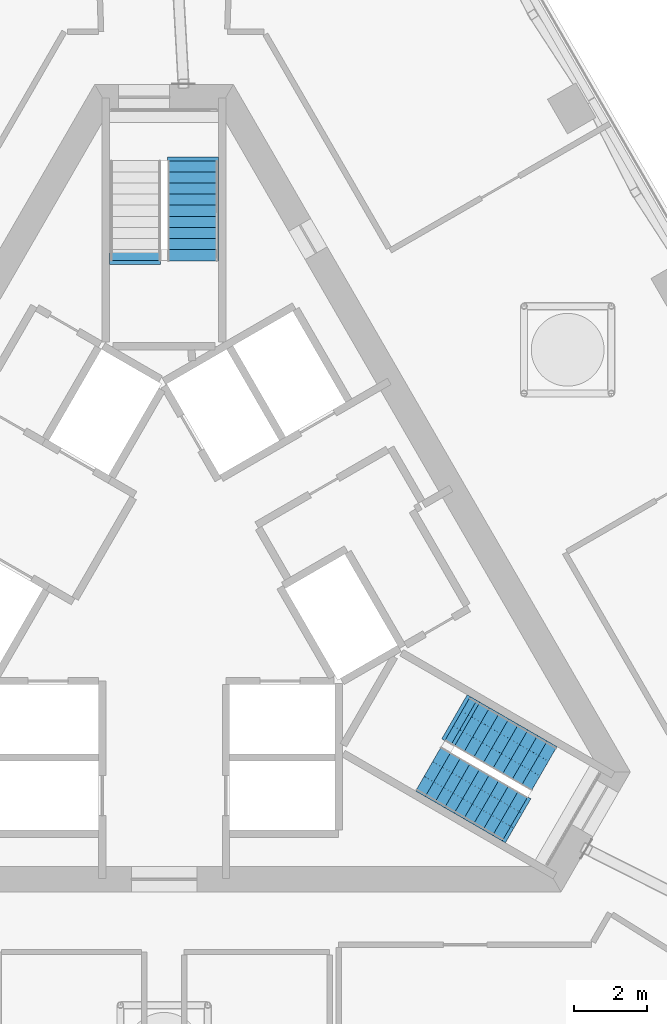
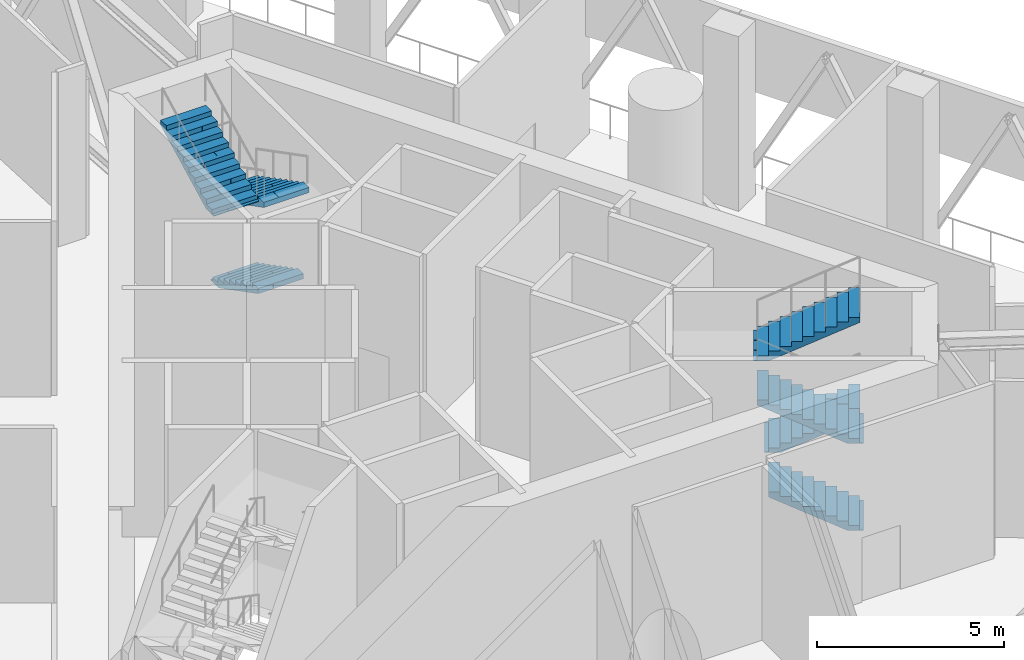
# One storey, part 11 of 15: 7 stair flights, 2 elements without a shape of their own.
"""IFC4 building model written with IfcOpenShell, lengths in metres."""

import ifcopenshell
import ifcopenshell.guid

model = None  # the IFC model being written
_history = None  # IfcOwnerHistory: only IFC2X3 demands one
_inside = {}  # id of a spatial element -> (the spatial element, [elements in it])
_under = {}  # id of a project, library or spatial element -> (it, [spatial elements below it])
_declared = {}  # id of a project -> (the project, [libraries it declares])
_typed = {}  # id of a type object -> (the type object, [elements of that type])
_made_of = {}  # id of a material, layer set ... -> (it, [elements and type objects made of it])


def new_model(schema):
    """Start an empty IFC model of exactly this schema.

    Asked for "IFC4X3", IfcOpenShell would pick the latest addendum, in which some entities
    have other attributes; the version numbers below select the first issue.
    IFC2X3 requires an IfcOwnerHistory on every rooted entity: one is made here for all.
    """
    global model, _history
    if schema == "IFC4X3":
        model = ifcopenshell.file(schema_version=(4, 3, 0, 0))
    else:
        model = ifcopenshell.file(schema=schema)
    _inside.clear()
    _under.clear()
    _declared.clear()
    _typed.clear()
    _made_of.clear()
    _history = None
    if model.schema == "IFC2X3":
        org = make("IfcOrganization", Name="unknown")
        user = make(
            "IfcPersonAndOrganization",
            ThePerson=make("IfcPerson", FamilyName="unknown"),
            TheOrganization=org,
        )
        app = make(
            "IfcApplication",
            ApplicationDeveloper=org,
            Version="unknown",
            ApplicationFullName="unknown",
            ApplicationIdentifier="unknown",
        )
        _history = make(
            "IfcOwnerHistory",
            OwningUser=user,
            OwningApplication=app,
            ChangeAction="ADDED",
            CreationDate=0,
        )
    return model


def make(cls, **values):
    """One entity of the class cls with the attributes given. An attribute that is None is left unset."""
    return model.create_entity(
        cls, **{name: value for name, value in values.items() if value is not None}
    )


def rooted(cls, **values):
    """An entity with a GlobalId (a new one), such as an element, a storey or a relation."""
    return make(cls, GlobalId=ifcopenshell.guid.new(), OwnerHistory=_history, **values)


def si_unit(unit_type, name, prefix=None):
    """IfcSIUnit, for example si_unit("LENGTHUNIT", "METRE", prefix="MILLI")."""
    return make("IfcSIUnit", UnitType=unit_type, Prefix=prefix, Name=name)


def assignment(units):
    """IfcUnitAssignment: the units of a project."""
    return None if units is None else make("IfcUnitAssignment", Units=units)


def point(xyz):
    """IfcCartesianPoint."""
    return None if xyz is None else make("IfcCartesianPoint", Coordinates=xyz)


def direction(xyz):
    """IfcDirection."""
    return None if xyz is None else make("IfcDirection", DirectionRatios=xyz)


def frame(location, z_axis=None, x_axis=None):
    """IfcAxis2Placement3D, a coordinate frame: its origin and axes. An axis left out is left unset."""
    return make(
        "IfcAxis2Placement3D",
        Location=point(location),
        Axis=direction(z_axis),
        RefDirection=direction(x_axis),
    )


def origin():
    """The frame at (0, 0, 0) with its axes left unset."""
    return frame((0.0, 0.0, 0.0))


def place(relative_to, where):
    """IfcLocalPlacement: puts the frame where relative to a parent placement (None: the world)."""
    return make(
        "IfcLocalPlacement", PlacementRelTo=relative_to, RelativePlacement=where
    )


def context(
    kind, dimensions, precision=None, world=None, true_north=None, identifier=None
):
    """IfcGeometricRepresentationContext, for example the 3D "Model" context."""
    return make(
        "IfcGeometricRepresentationContext",
        ContextIdentifier=identifier,
        ContextType=kind,
        CoordinateSpaceDimension=dimensions,
        Precision=precision,
        WorldCoordinateSystem=world,
        TrueNorth=true_north,
    )


def subcontext(parent, identifier, kind, view, scale=None):
    """IfcGeometricRepresentationSubContext, for example "Body" below "Model"."""
    return make(
        "IfcGeometricRepresentationSubContext",
        ContextIdentifier=identifier,
        ContextType=kind,
        ParentContext=parent,
        TargetScale=scale,
        TargetView=view,
    )


def project(units=None, contexts=None):
    """IfcProject with its units and contexts."""
    return rooted(
        "IfcProject",
        Name="project",
        RepresentationContexts=contexts,
        UnitsInContext=assignment(units),
    )


def spatial(cls, under=None, at=None, **own):
    """A site, building, storey or space (cls), placed at a placement, below another one or the project."""
    s = rooted(cls, ObjectPlacement=at, **own)
    if under is not None:
        _under.setdefault(under.id(), (under, []))[1].append(s)
    return s


def polyline(points):
    """IfcPolyline through the points."""
    return make("IfcPolyline", Points=[point(p) for p in points])


def outline(outer, holes=None, kind="AREA"):
    """IfcArbitraryClosedProfileDef: a profile drawn as a closed curve; with holes, ...WithVoids."""
    if holes is None:
        return make("IfcArbitraryClosedProfileDef", ProfileType=kind, OuterCurve=outer)
    return make(
        "IfcArbitraryProfileDefWithVoids",
        ProfileType=kind,
        OuterCurve=outer,
        InnerCurves=holes,
    )


def extrude(swept, where, along, depth):
    """IfcExtrudedAreaSolid: the profile swept, set in the frame where, extruded along a direction by depth."""
    return make(
        "IfcExtrudedAreaSolid",
        SweptArea=swept,
        Position=where,
        ExtrudedDirection=direction(along),
        Depth=depth,
    )


def shape(context_of_items, identifier, shape_type, items):
    """IfcShapeRepresentation: the items that make up one representation, for example the "Body"."""
    return make(
        "IfcShapeRepresentation",
        ContextOfItems=context_of_items,
        RepresentationIdentifier=identifier,
        RepresentationType=shape_type,
        Items=items,
    )


def material(Name=None, Category=None):
    """IfcMaterial."""
    return make("IfcMaterial", Name=Name, Category=Category)


def made_of(thing, what):
    """Note that an element or type object is made of a material, layer set ...; save() writes the relation."""
    if what is not None:
        _made_of.setdefault(what.id(), (what, []))[1].append(thing)
    return thing


def type_object(cls, material=None, **own):
    """A type object (cls), such as IfcWallType, which elements share."""
    return made_of(rooted(cls, **own), material)


def element(
    cls,
    number,
    at=None,
    inside=None,
    cuts=None,
    type_object=None,
    material=None,
    context=None,
    identifier="Body",
    shape_type=None,
    held_by="IfcProductDefinitionShape",
    body=None,
    shapes=None,
    **own,
):
    """One element of the class cls, such as IfcWall. Its Tag is "e" and its number.

    at: its placement. inside: the storey or other place that contains it. cuts: it is an
    opening in that element (IfcRelVoidsElement). A single representation is given by context,
    identifier, shape_type and body (its items); several are given by shapes. held_by: the class
    of the entity that holds the representations. save() writes the other relations.
    """
    e = rooted(cls, Tag="e%d" % number, ObjectPlacement=at, **own)
    if body is not None:
        shapes = [shape(context, identifier, shape_type, body)]
    if shapes is not None:
        e.Representation = make(held_by, Representations=shapes)
    if inside is not None:
        _inside.setdefault(inside.id(), (inside, []))[1].append(e)
    if cuts is not None:
        rooted(
            "IfcRelVoidsElement", RelatingBuildingElement=cuts, RelatedOpeningElement=e
        )
    if type_object is not None:
        _typed.setdefault(type_object.id(), (type_object, []))[1].append(e)
    return made_of(e, material)


def aggregate(whole, parts):
    """IfcRelAggregates: a whole, such as a stair, and the parts it consists of."""
    return rooted("IfcRelAggregates", RelatingObject=whole, RelatedObjects=parts)


def save(model, path):
    """Write the relations noted so far, then the file.

    IfcRelAggregates (storeys below a building ...), IfcRelContainedInSpatialStructure (elements
    in a storey), IfcRelDefinesByType, IfcRelAssociatesMaterial and IfcRelDeclares: one each for
    every whole, place, type object, material and project.
    """
    for whole, parts in _under.values():
        aggregate(whole, parts)
    for where, things in _inside.values():
        rooted(
            "IfcRelContainedInSpatialStructure",
            RelatedElements=things,
            RelatingStructure=where,
        )
    for kind, things in _typed.values():
        rooted("IfcRelDefinesByType", RelatedObjects=things, RelatingType=kind)
    for what, things in _made_of.values():
        rooted("IfcRelAssociatesMaterial", RelatedObjects=things, RelatingMaterial=what)
    for by, libraries in _declared.values():
        rooted("IfcRelDeclares", RelatingContext=by, RelatedDefinitions=libraries)
    model.write(path)


model = new_model("IFC4")

# Units and contexts
model_context = context("Model", 3, precision=1e-05, world=origin(), true_north=direction((0.0, 1.0)))
body_context = subcontext(model_context, "Body", "Model", "MODEL_VIEW")
ifc_project = project(units=[si_unit("LENGTHUNIT", "METRE"), si_unit("AREAUNIT", "SQUARE_METRE"), si_unit("VOLUMEUNIT", "CUBIC_METRE"), si_unit("PLANEANGLEUNIT", "RADIAN"), si_unit("MASSUNIT", "GRAM", prefix="KILO")], contexts=[model_context])

# Site, building, storey
site_placement = place(None, origin())
site = spatial("IfcSite", under=ifc_project, at=site_placement, CompositionType="ELEMENT")
building_placement = place(site_placement, origin())
building = spatial("IfcBuilding", under=site, at=building_placement, Name="Triada Interchange Tower", CompositionType="ELEMENT")
storey_placement = place(building_placement, frame((0.0, 0.0, 255.800048828125)))
storey = spatial("IfcBuildingStorey", under=building, at=storey_placement, Name="L60", CompositionType="ELEMENT", Elevation=255.800048828125)

# Stair, stair flights
ifc_material = material(Name="Concrete C35/45", Category="concrete")
stair_type = type_object("IfcStairType", Name="HALF TURN STAIR 1400", PredefinedType="HALF_TURN_STAIR", material=ifc_material)
stair_1_placement = place(storey_placement, origin())
stair_1 = element("IfcStair", 1, at=stair_1_placement, inside=storey, type_object=stair_type, Name="Exit stair S60-1", PredefinedType="HALF_TURN_STAIR")
stair_flight_type = type_object("IfcStairFlightType", Name="STRAIGHT STAIR FLIGHT 1400", PredefinedType="STRAIGHT", material=ifc_material)
stair_flight_1_placement = place(storey_placement, frame((0.800048828125, 11.60009765625, 0.0), z_axis=(0.0, 0.0, 1.0), x_axis=(0.0, -1.0, 0.0)))
stair_flight_1 = element("IfcStairFlight", 2, at=stair_flight_1_placement, type_object=stair_flight_type, Name="S60-1 flight 1", NumberOfRisers=9, NumberOfTreads=8, PredefinedType="STRAIGHT", RiserHeight=0.15789, TreadLength=0.305, context=body_context, shape_type="SweptSolid", body=[
    extrude(outline(polyline([(-0.10009765625, 0.0), (-0.10009765625, 0.02001953125), (0.0, 0.02001953125), (0.0, 0.157958984375), (0.304931640625, 0.157958984375), (0.304931640625, 0.315673828125), (0.610107421875, 0.315673828125), (0.610107421875, 0.4736328125), (0.9150390625, 0.4736328125), (0.9150390625, 0.631591796875), (1.219970703125, 0.631591796875), (1.219970703125, 0.78955078125), (1.52490234375, 0.78955078125), (1.52490234375, 0.947265625), (1.830078125, 0.947265625), (1.830078125, 1.105224609375), (2.135009765625, 1.105224609375), (2.135009765625, 1.26318359375), (2.43994140625, 1.26318359375), (2.444091796875, 1.26318359375), (2.444091796875, 1.4208984375), (2.444091796875, 1.09423828125), (0.326171875, 0.0), (-0.10009765625, 0.0)])), frame((0.0, 0.699951171875, 0.0), z_axis=(0.0, -1.0, 0.0), x_axis=(1.0, 0.0, 0.0)), (0.0, 0.0, 1.0), 0.46533203125),
    extrude(outline(polyline([(-0.10009765625, 0.0), (-0.10009765625, 0.02001953125), (0.0, 0.02001953125), (0.0, 0.157958984375), (0.304931640625, 0.157958984375), (0.304931640625, 0.315673828125), (0.610107421875, 0.315673828125), (0.610107421875, 0.4736328125), (0.9150390625, 0.4736328125), (0.9150390625, 0.631591796875), (1.219970703125, 0.631591796875), (1.219970703125, 0.78955078125), (1.52490234375, 0.78955078125), (1.52490234375, 0.947265625), (1.830078125, 0.947265625), (1.830078125, 1.105224609375), (2.135009765625, 1.105224609375), (2.135009765625, 1.26318359375), (2.43994140625, 1.26318359375), (2.444091796875, 1.26318359375), (2.444091796875, 1.4208984375), (2.444091796875, 1.09423828125), (0.326171875, 0.0), (-0.10009765625, 0.0)])), frame((0.0, 0.232666015625, 0.0), z_axis=(0.0, -1.0, 0.0), x_axis=(1.0, 0.0, 0.0)), (0.0, 0.0, 1.0), 0.46533203125),
    extrude(outline(polyline([(-0.10009765625, 0.0), (-0.10009765625, 0.02001953125), (0.0, 0.02001953125), (0.0, 0.157958984375), (0.304931640625, 0.157958984375), (0.304931640625, 0.315673828125), (0.610107421875, 0.315673828125), (0.610107421875, 0.4736328125), (0.9150390625, 0.4736328125), (0.9150390625, 0.631591796875), (1.219970703125, 0.631591796875), (1.219970703125, 0.78955078125), (1.52490234375, 0.78955078125), (1.52490234375, 0.947265625), (1.830078125, 0.947265625), (1.830078125, 1.105224609375), (2.135009765625, 1.105224609375), (2.135009765625, 1.26318359375), (2.43994140625, 1.26318359375), (2.444091796875, 1.26318359375), (2.444091796875, 1.4208984375), (2.444091796875, 1.09423828125), (0.326171875, 0.0), (-0.10009765625, 0.0)])), frame((0.0, -0.234619140625, 0.0), z_axis=(0.0, -1.0, 0.0), x_axis=(1.0, 0.0, 0.0)), (0.0, 0.0, 1.0), 0.46533203125),
])
stair_flight_2_placement = place(storey_placement, frame((0.800048828125, 11.60009765625, 2.842041015625), z_axis=(0.0, 0.0, 1.0), x_axis=(0.0, -1.0, 0.0)))
stair_flight_2 = element("IfcStairFlight", 3, at=stair_flight_2_placement, type_object=stair_flight_type, Name="S60-1 flight 3", NumberOfRisers=10, NumberOfTreads=9, PredefinedType="STRAIGHT", RiserHeight=0.15789, TreadLength=0.305, context=body_context, shape_type="SweptSolid", body=[
    extrude(outline(polyline([(-0.10009765625, 0.0), (-0.10009765625, 0.02001953125), (0.0, 0.02001953125), (0.0, 0.157958984375), (0.304931640625, 0.157958984375), (0.304931640625, 0.315673828125), (0.610107421875, 0.315673828125), (0.610107421875, 0.4736328125), (0.9150390625, 0.4736328125), (0.9150390625, 0.631591796875), (1.219970703125, 0.631591796875), (1.219970703125, 0.78955078125), (1.52490234375, 0.78955078125), (1.52490234375, 0.947265625), (1.830078125, 0.947265625), (1.830078125, 1.105224609375), (2.135009765625, 1.105224609375), (2.135009765625, 1.26318359375), (2.43994140625, 1.26318359375), (2.43994140625, 1.4208984375), (2.7451171875, 1.4208984375), (2.7490234375, 1.4208984375), (2.7490234375, 1.578857421875), (2.7490234375, 1.252197265625), (0.326171875, 0.0), (-0.10009765625, 0.0)])), frame((0.0, 0.699951171875, 0.0), z_axis=(0.0, -1.0, 0.0), x_axis=(1.0, 0.0, 0.0)), (0.0, 0.0, 1.0), 0.46533203125),
    extrude(outline(polyline([(-0.10009765625, 0.0), (-0.10009765625, 0.02001953125), (0.0, 0.02001953125), (0.0, 0.157958984375), (0.304931640625, 0.157958984375), (0.304931640625, 0.315673828125), (0.610107421875, 0.315673828125), (0.610107421875, 0.4736328125), (0.9150390625, 0.4736328125), (0.9150390625, 0.631591796875), (1.219970703125, 0.631591796875), (1.219970703125, 0.78955078125), (1.52490234375, 0.78955078125), (1.52490234375, 0.947265625), (1.830078125, 0.947265625), (1.830078125, 1.105224609375), (2.135009765625, 1.105224609375), (2.135009765625, 1.26318359375), (2.43994140625, 1.26318359375), (2.43994140625, 1.4208984375), (2.7451171875, 1.4208984375), (2.7490234375, 1.4208984375), (2.7490234375, 1.578857421875), (2.7490234375, 1.252197265625), (0.326171875, 0.0), (-0.10009765625, 0.0)])), frame((0.0, 0.232666015625, 0.0), z_axis=(0.0, -1.0, 0.0), x_axis=(1.0, 0.0, 0.0)), (0.0, 0.0, 1.0), 0.46533203125),
    extrude(outline(polyline([(-0.10009765625, 0.0), (-0.10009765625, 0.02001953125), (0.0, 0.02001953125), (0.0, 0.157958984375), (0.304931640625, 0.157958984375), (0.304931640625, 0.315673828125), (0.610107421875, 0.315673828125), (0.610107421875, 0.4736328125), (0.9150390625, 0.4736328125), (0.9150390625, 0.631591796875), (1.219970703125, 0.631591796875), (1.219970703125, 0.78955078125), (1.52490234375, 0.78955078125), (1.52490234375, 0.947265625), (1.830078125, 0.947265625), (1.830078125, 1.105224609375), (2.135009765625, 1.105224609375), (2.135009765625, 1.26318359375), (2.43994140625, 1.26318359375), (2.43994140625, 1.4208984375), (2.7451171875, 1.4208984375), (2.7490234375, 1.4208984375), (2.7490234375, 1.578857421875), (2.7490234375, 1.252197265625), (0.326171875, 0.0), (-0.10009765625, 0.0)])), frame((0.0, -0.234619140625, 0.0), z_axis=(0.0, -1.0, 0.0), x_axis=(1.0, 0.0, 0.0)), (0.0, 0.0, 1.0), 0.46533203125),
])
stair_flight_3_placement = place(storey_placement, frame((-0.800048828125, 8.85498046875, 4.4208984375), z_axis=(0.0, 0.0, 1.0), x_axis=(0.0, 1.0, 0.0)))
stair_flight_3 = element("IfcStairFlight", 4, at=stair_flight_3_placement, type_object=stair_flight_type, Name="S60-1 flight 4", NumberOfRisers=10, NumberOfTreads=9, PredefinedType="STRAIGHT", RiserHeight=0.15789, TreadLength=0.305, context=body_context, shape_type="SweptSolid", body=[
    extrude(outline(polyline([(-0.10009765625, 0.0), (-0.10009765625, 0.02001953125), (0.0, 0.02001953125), (0.0, 0.157958984375), (0.304931640625, 0.157958984375), (0.304931640625, 0.315673828125), (0.610107421875, 0.315673828125), (0.610107421875, 0.4736328125), (0.9150390625, 0.4736328125), (0.9150390625, 0.631591796875), (1.219970703125, 0.631591796875), (1.219970703125, 0.78955078125), (1.52490234375, 0.78955078125), (1.52490234375, 0.947265625), (1.830078125, 0.947265625), (1.830078125, 1.105224609375), (2.135009765625, 1.105224609375), (2.135009765625, 1.26318359375), (2.43994140625, 1.26318359375), (2.43994140625, 1.4208984375), (2.7451171875, 1.4208984375), (2.7490234375, 1.4208984375), (2.7490234375, 1.578857421875), (2.7490234375, 1.252197265625), (0.326171875, 0.0), (-0.10009765625, 0.0)])), frame((0.0, 0.699951171875, 0.0), z_axis=(0.0, -1.0, 0.0), x_axis=(1.0, 0.0, 0.0)), (0.0, 0.0, 1.0), 0.46533203125),
    extrude(outline(polyline([(-0.10009765625, 0.0), (-0.10009765625, 0.02001953125), (0.0, 0.02001953125), (0.0, 0.157958984375), (0.304931640625, 0.157958984375), (0.304931640625, 0.315673828125), (0.610107421875, 0.315673828125), (0.610107421875, 0.4736328125), (0.9150390625, 0.4736328125), (0.9150390625, 0.631591796875), (1.219970703125, 0.631591796875), (1.219970703125, 0.78955078125), (1.52490234375, 0.78955078125), (1.52490234375, 0.947265625), (1.830078125, 0.947265625), (1.830078125, 1.105224609375), (2.135009765625, 1.105224609375), (2.135009765625, 1.26318359375), (2.43994140625, 1.26318359375), (2.43994140625, 1.4208984375), (2.7451171875, 1.4208984375), (2.7490234375, 1.4208984375), (2.7490234375, 1.578857421875), (2.7490234375, 1.252197265625), (0.326171875, 0.0), (-0.10009765625, 0.0)])), frame((0.0, 0.232666015625, 0.0), z_axis=(0.0, -1.0, 0.0), x_axis=(1.0, 0.0, 0.0)), (0.0, 0.0, 1.0), 0.46533203125),
    extrude(outline(polyline([(-0.10009765625, 0.0), (-0.10009765625, 0.02001953125), (0.0, 0.02001953125), (0.0, 0.157958984375), (0.304931640625, 0.157958984375), (0.304931640625, 0.315673828125), (0.610107421875, 0.315673828125), (0.610107421875, 0.4736328125), (0.9150390625, 0.4736328125), (0.9150390625, 0.631591796875), (1.219970703125, 0.631591796875), (1.219970703125, 0.78955078125), (1.52490234375, 0.78955078125), (1.52490234375, 0.947265625), (1.830078125, 0.947265625), (1.830078125, 1.105224609375), (2.135009765625, 1.105224609375), (2.135009765625, 1.26318359375), (2.43994140625, 1.26318359375), (2.43994140625, 1.4208984375), (2.7451171875, 1.4208984375), (2.7490234375, 1.4208984375), (2.7490234375, 1.578857421875), (2.7490234375, 1.252197265625), (0.326171875, 0.0), (-0.10009765625, 0.0)])), frame((0.0, -0.234619140625, 0.0), z_axis=(0.0, -1.0, 0.0), x_axis=(1.0, 0.0, 0.0)), (0.0, 0.0, 1.0), 0.46533203125),
])
aggregate(stair_1, [stair_flight_1, stair_flight_2, stair_flight_3])

stair_2_placement = place(storey_placement, origin())
stair_2 = element("IfcStair", 5, at=stair_2_placement, inside=storey, type_object=stair_type, Name="Exit stair S60-3", PredefinedType="HALF_TURN_STAIR")
stair_flight_4_placement = place(storey_placement, frame((9.64599609375, -6.492919921875, 0.0), z_axis=(0.0, 0.0, 1.0), x_axis=(-0.866025403784, 0.5, 0.0)))
stair_flight_4 = element("IfcStairFlight", 6, at=stair_flight_4_placement, type_object=stair_flight_type, Name="S60-3 flight 1", NumberOfRisers=9, NumberOfTreads=8, PredefinedType="STRAIGHT", RiserHeight=0.15789, TreadLength=0.305, context=body_context, shape_type="SweptSolid", body=[
    extrude(outline(polyline([(-0.10009765625, 0.0), (-0.10009765625, 0.02001953125), (0.0, 0.02001953125), (0.0, 0.157958984375), (0.304931640625, 0.157958984375), (0.304931640625, 0.315673828125), (0.610107421875, 0.315673828125), (0.610107421875, 0.4736328125), (0.9150390625, 0.4736328125), (0.9150390625, 0.631591796875), (1.219970703125, 0.631591796875), (1.219970703125, 0.78955078125), (1.52490234375, 0.78955078125), (1.52490234375, 0.947265625), (1.830078125, 0.947265625), (1.830078125, 1.105224609375), (2.135009765625, 1.105224609375), (2.135009765625, 1.26318359375), (2.43994140625, 1.26318359375), (2.444091796875, 1.26318359375), (2.444091796875, 1.4208984375), (2.444091796875, 1.09423828125), (0.326171875, 0.0), (-0.10009765625, 0.0)])), frame((0.0, 0.699951171875, 0.0), z_axis=(0.0, -1.0, 0.0), x_axis=(1.0, 0.0, 0.0)), (0.0, 0.0, 1.0), 0.46533203125),
    extrude(outline(polyline([(-0.10009765625, 0.0), (-0.10009765625, 0.02001953125), (0.0, 0.02001953125), (0.0, 0.157958984375), (0.304931640625, 0.157958984375), (0.304931640625, 0.315673828125), (0.610107421875, 0.315673828125), (0.610107421875, 0.4736328125), (0.9150390625, 0.4736328125), (0.9150390625, 0.631591796875), (1.219970703125, 0.631591796875), (1.219970703125, 0.78955078125), (1.52490234375, 0.78955078125), (1.52490234375, 0.947265625), (1.830078125, 0.947265625), (1.830078125, 1.105224609375), (2.135009765625, 1.105224609375), (2.135009765625, 1.26318359375), (2.43994140625, 1.26318359375), (2.444091796875, 1.26318359375), (2.444091796875, 1.4208984375), (2.444091796875, 1.09423828125), (0.326171875, 0.0), (-0.10009765625, 0.0)])), frame((0.0, 0.232666015625, 0.0), z_axis=(0.0, -1.0, 0.0), x_axis=(1.0, 0.0, 0.0)), (0.0, 0.0, 1.0), 0.46533203125),
    extrude(outline(polyline([(-0.10009765625, 0.0), (-0.10009765625, 0.02001953125), (0.0, 0.02001953125), (0.0, 0.157958984375), (0.304931640625, 0.157958984375), (0.304931640625, 0.315673828125), (0.610107421875, 0.315673828125), (0.610107421875, 0.4736328125), (0.9150390625, 0.4736328125), (0.9150390625, 0.631591796875), (1.219970703125, 0.631591796875), (1.219970703125, 0.78955078125), (1.52490234375, 0.78955078125), (1.52490234375, 0.947265625), (1.830078125, 0.947265625), (1.830078125, 1.105224609375), (2.135009765625, 1.105224609375), (2.135009765625, 1.26318359375), (2.43994140625, 1.26318359375), (2.444091796875, 1.26318359375), (2.444091796875, 1.4208984375), (2.444091796875, 1.09423828125), (0.326171875, 0.0), (-0.10009765625, 0.0)])), frame((0.0, -0.234619140625, 0.0), z_axis=(0.0, -1.0, 0.0), x_axis=(1.0, 0.0, 0.0)), (0.0, 0.0, 1.0), 0.46533203125),
])
stair_flight_5_placement = place(storey_placement, frame((8.3330078125, -3.886962890625, 1.4208984375), z_axis=(0.0, 0.0, 1.0), x_axis=(0.866025403784, -0.5, 0.0)))
stair_flight_5 = element("IfcStairFlight", 7, at=stair_flight_5_placement, type_object=stair_flight_type, Name="S60-3 flight 2", NumberOfRisers=9, NumberOfTreads=8, PredefinedType="STRAIGHT", RiserHeight=0.15789, TreadLength=0.305, context=body_context, shape_type="SweptSolid", body=[
    extrude(outline(polyline([(-0.10009765625, 0.0), (-0.10009765625, 0.02001953125), (0.0, 0.02001953125), (0.0, 0.157958984375), (0.304931640625, 0.157958984375), (0.304931640625, 0.315673828125), (0.610107421875, 0.315673828125), (0.610107421875, 0.4736328125), (0.9150390625, 0.4736328125), (0.9150390625, 0.631591796875), (1.219970703125, 0.631591796875), (1.219970703125, 0.78955078125), (1.52490234375, 0.78955078125), (1.52490234375, 0.947265625), (1.830078125, 0.947265625), (1.830078125, 1.105224609375), (2.135009765625, 1.105224609375), (2.135009765625, 1.26318359375), (2.43994140625, 1.26318359375), (2.444091796875, 1.26318359375), (2.444091796875, 1.4208984375), (2.444091796875, 1.09423828125), (0.326171875, 0.0), (-0.10009765625, 0.0)])), frame((0.0, 0.699951171875, 0.0), z_axis=(0.0, -1.0, 0.0), x_axis=(1.0, 0.0, 0.0)), (0.0, 0.0, 1.0), 0.46533203125),
    extrude(outline(polyline([(-0.10009765625, 0.0), (-0.10009765625, 0.02001953125), (0.0, 0.02001953125), (0.0, 0.157958984375), (0.304931640625, 0.157958984375), (0.304931640625, 0.315673828125), (0.610107421875, 0.315673828125), (0.610107421875, 0.4736328125), (0.9150390625, 0.4736328125), (0.9150390625, 0.631591796875), (1.219970703125, 0.631591796875), (1.219970703125, 0.78955078125), (1.52490234375, 0.78955078125), (1.52490234375, 0.947265625), (1.830078125, 0.947265625), (1.830078125, 1.105224609375), (2.135009765625, 1.105224609375), (2.135009765625, 1.26318359375), (2.43994140625, 1.26318359375), (2.444091796875, 1.26318359375), (2.444091796875, 1.4208984375), (2.444091796875, 1.09423828125), (0.326171875, 0.0), (-0.10009765625, 0.0)])), frame((0.0, 0.232666015625, 0.0), z_axis=(0.0, -1.0, 0.0), x_axis=(1.0, 0.0, 0.0)), (0.0, 0.0, 1.0), 0.46533203125),
    extrude(outline(polyline([(-0.10009765625, 0.0), (-0.10009765625, 0.02001953125), (0.0, 0.02001953125), (0.0, 0.157958984375), (0.304931640625, 0.157958984375), (0.304931640625, 0.315673828125), (0.610107421875, 0.315673828125), (0.610107421875, 0.4736328125), (0.9150390625, 0.4736328125), (0.9150390625, 0.631591796875), (1.219970703125, 0.631591796875), (1.219970703125, 0.78955078125), (1.52490234375, 0.78955078125), (1.52490234375, 0.947265625), (1.830078125, 0.947265625), (1.830078125, 1.105224609375), (2.135009765625, 1.105224609375), (2.135009765625, 1.26318359375), (2.43994140625, 1.26318359375), (2.444091796875, 1.26318359375), (2.444091796875, 1.4208984375), (2.444091796875, 1.09423828125), (0.326171875, 0.0), (-0.10009765625, 0.0)])), frame((0.0, -0.234619140625, 0.0), z_axis=(0.0, -1.0, 0.0), x_axis=(1.0, 0.0, 0.0)), (0.0, 0.0, 1.0), 0.46533203125),
])
stair_flight_6_placement = place(storey_placement, frame((9.64599609375, -6.492919921875, 2.842041015625), z_axis=(0.0, 0.0, 1.0), x_axis=(-0.866025403784, 0.5, 0.0)))
stair_flight_6 = element("IfcStairFlight", 8, at=stair_flight_6_placement, type_object=stair_flight_type, Name="S60-3 flight 3", NumberOfRisers=10, NumberOfTreads=9, PredefinedType="STRAIGHT", RiserHeight=0.15789, TreadLength=0.305, context=body_context, shape_type="SweptSolid", body=[
    extrude(outline(polyline([(-0.10009765625, 0.0), (-0.10009765625, 0.02001953125), (0.0, 0.02001953125), (0.0, 0.157958984375), (0.304931640625, 0.157958984375), (0.304931640625, 0.315673828125), (0.610107421875, 0.315673828125), (0.610107421875, 0.4736328125), (0.9150390625, 0.4736328125), (0.9150390625, 0.631591796875), (1.219970703125, 0.631591796875), (1.219970703125, 0.78955078125), (1.52490234375, 0.78955078125), (1.52490234375, 0.947265625), (1.830078125, 0.947265625), (1.830078125, 1.105224609375), (2.135009765625, 1.105224609375), (2.135009765625, 1.26318359375), (2.43994140625, 1.26318359375), (2.43994140625, 1.4208984375), (2.7451171875, 1.4208984375), (2.7490234375, 1.4208984375), (2.7490234375, 1.578857421875), (2.7490234375, 1.252197265625), (0.326171875, 0.0), (-0.10009765625, 0.0)])), frame((0.0, 0.699951171875, 0.0), z_axis=(0.0, -1.0, 0.0), x_axis=(1.0, 0.0, 0.0)), (0.0, 0.0, 1.0), 0.46533203125),
    extrude(outline(polyline([(-0.10009765625, 0.0), (-0.10009765625, 0.02001953125), (0.0, 0.02001953125), (0.0, 0.157958984375), (0.304931640625, 0.157958984375), (0.304931640625, 0.315673828125), (0.610107421875, 0.315673828125), (0.610107421875, 0.4736328125), (0.9150390625, 0.4736328125), (0.9150390625, 0.631591796875), (1.219970703125, 0.631591796875), (1.219970703125, 0.78955078125), (1.52490234375, 0.78955078125), (1.52490234375, 0.947265625), (1.830078125, 0.947265625), (1.830078125, 1.105224609375), (2.135009765625, 1.105224609375), (2.135009765625, 1.26318359375), (2.43994140625, 1.26318359375), (2.43994140625, 1.4208984375), (2.7451171875, 1.4208984375), (2.7490234375, 1.4208984375), (2.7490234375, 1.578857421875), (2.7490234375, 1.252197265625), (0.326171875, 0.0), (-0.10009765625, 0.0)])), frame((0.0, 0.232666015625, 0.0), z_axis=(0.0, -1.0, 0.0), x_axis=(1.0, 0.0, 0.0)), (0.0, 0.0, 1.0), 0.46533203125),
    extrude(outline(polyline([(-0.10009765625, 0.0), (-0.10009765625, 0.02001953125), (0.0, 0.02001953125), (0.0, 0.157958984375), (0.304931640625, 0.157958984375), (0.304931640625, 0.315673828125), (0.610107421875, 0.315673828125), (0.610107421875, 0.4736328125), (0.9150390625, 0.4736328125), (0.9150390625, 0.631591796875), (1.219970703125, 0.631591796875), (1.219970703125, 0.78955078125), (1.52490234375, 0.78955078125), (1.52490234375, 0.947265625), (1.830078125, 0.947265625), (1.830078125, 1.105224609375), (2.135009765625, 1.105224609375), (2.135009765625, 1.26318359375), (2.43994140625, 1.26318359375), (2.43994140625, 1.4208984375), (2.7451171875, 1.4208984375), (2.7490234375, 1.4208984375), (2.7490234375, 1.578857421875), (2.7490234375, 1.252197265625), (0.326171875, 0.0), (-0.10009765625, 0.0)])), frame((0.0, -0.234619140625, 0.0), z_axis=(0.0, -1.0, 0.0), x_axis=(1.0, 0.0, 0.0)), (0.0, 0.0, 1.0), 0.46533203125),
])
stair_flight_7_placement = place(storey_placement, frame((8.069091796875, -3.735107421875, 4.4208984375), z_axis=(0.0, 0.0, 1.0), x_axis=(0.866025403784, -0.5, 0.0)))
stair_flight_7 = element("IfcStairFlight", 9, at=stair_flight_7_placement, type_object=stair_flight_type, Name="S60-3 flight 4", NumberOfRisers=10, NumberOfTreads=9, PredefinedType="STRAIGHT", RiserHeight=0.15789, TreadLength=0.305, context=body_context, shape_type="SweptSolid", body=[
    extrude(outline(polyline([(-0.10009765625, 0.0), (-0.10009765625, 0.02001953125), (0.0, 0.02001953125), (0.0, 0.157958984375), (0.304931640625, 0.157958984375), (0.304931640625, 0.315673828125), (0.610107421875, 0.315673828125), (0.610107421875, 0.4736328125), (0.9150390625, 0.4736328125), (0.9150390625, 0.631591796875), (1.219970703125, 0.631591796875), (1.219970703125, 0.78955078125), (1.52490234375, 0.78955078125), (1.52490234375, 0.947265625), (1.830078125, 0.947265625), (1.830078125, 1.105224609375), (2.135009765625, 1.105224609375), (2.135009765625, 1.26318359375), (2.43994140625, 1.26318359375), (2.43994140625, 1.4208984375), (2.7451171875, 1.4208984375), (2.7490234375, 1.4208984375), (2.7490234375, 1.578857421875), (2.7490234375, 1.252197265625), (0.326171875, 0.0), (-0.10009765625, 0.0)])), frame((0.0, 0.699951171875, 0.0), z_axis=(0.0, -1.0, 0.0), x_axis=(1.0, 0.0, 0.0)), (0.0, 0.0, 1.0), 0.46533203125),
    extrude(outline(polyline([(-0.10009765625, 0.0), (-0.10009765625, 0.02001953125), (0.0, 0.02001953125), (0.0, 0.157958984375), (0.304931640625, 0.157958984375), (0.304931640625, 0.315673828125), (0.610107421875, 0.315673828125), (0.610107421875, 0.4736328125), (0.9150390625, 0.4736328125), (0.9150390625, 0.631591796875), (1.219970703125, 0.631591796875), (1.219970703125, 0.78955078125), (1.52490234375, 0.78955078125), (1.52490234375, 0.947265625), (1.830078125, 0.947265625), (1.830078125, 1.105224609375), (2.135009765625, 1.105224609375), (2.135009765625, 1.26318359375), (2.43994140625, 1.26318359375), (2.43994140625, 1.4208984375), (2.7451171875, 1.4208984375), (2.7490234375, 1.4208984375), (2.7490234375, 1.578857421875), (2.7490234375, 1.252197265625), (0.326171875, 0.0), (-0.10009765625, 0.0)])), frame((0.0, 0.232666015625, 0.0), z_axis=(0.0, -1.0, 0.0), x_axis=(1.0, 0.0, 0.0)), (0.0, 0.0, 1.0), 0.46533203125),
    extrude(outline(polyline([(-0.10009765625, 0.0), (-0.10009765625, 0.02001953125), (0.0, 0.02001953125), (0.0, 0.157958984375), (0.304931640625, 0.157958984375), (0.304931640625, 0.315673828125), (0.610107421875, 0.315673828125), (0.610107421875, 0.4736328125), (0.9150390625, 0.4736328125), (0.9150390625, 0.631591796875), (1.219970703125, 0.631591796875), (1.219970703125, 0.78955078125), (1.52490234375, 0.78955078125), (1.52490234375, 0.947265625), (1.830078125, 0.947265625), (1.830078125, 1.105224609375), (2.135009765625, 1.105224609375), (2.135009765625, 1.26318359375), (2.43994140625, 1.26318359375), (2.43994140625, 1.4208984375), (2.7451171875, 1.4208984375), (2.7490234375, 1.4208984375), (2.7490234375, 1.578857421875), (2.7490234375, 1.252197265625), (0.326171875, 0.0), (-0.10009765625, 0.0)])), frame((0.0, -0.234619140625, 0.0), z_axis=(0.0, -1.0, 0.0), x_axis=(1.0, 0.0, 0.0)), (0.0, 0.0, 1.0), 0.46533203125),
])
aggregate(stair_2, [stair_flight_4, stair_flight_5, stair_flight_6, stair_flight_7])

save(model, "model.ifc")
